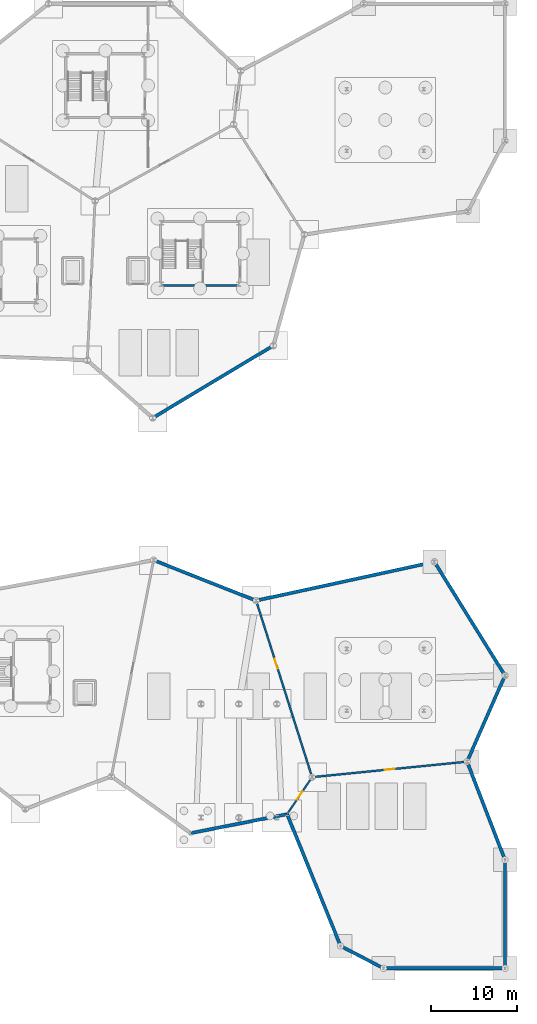
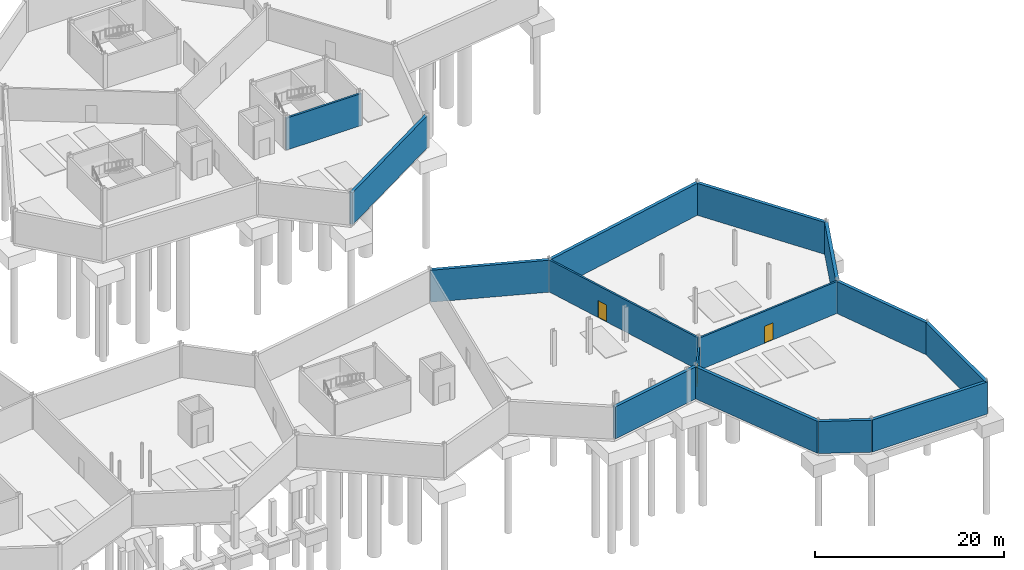
# One storey, part 31 of 37: 15 walls, 3 doors, 3 openings.
"""IFC4 building model written with IfcOpenShell, lengths in metres."""

from ifc_helpers import new_model, si_unit, direction, frame, frame_2d, origin, place, context, subcontext, project, spatial, rectangle, extrude, material, layer, layer_set, type_object, element, fill, save


model = new_model("IFC4")

# Units and contexts
model_context = context("Model", 3, precision=1e-05, world=origin(), true_north=direction((0.0, 1.0)))
body_context = subcontext(model_context, "Body", "Model", "MODEL_VIEW")
ifc_project = project(units=[si_unit("LENGTHUNIT", "METRE"), si_unit("AREAUNIT", "SQUARE_METRE"), si_unit("VOLUMEUNIT", "CUBIC_METRE"), si_unit("PLANEANGLEUNIT", "RADIAN"), si_unit("MASSUNIT", "GRAM", prefix="KILO")], contexts=[model_context])

# Site, building, storey
site_placement = place(None, origin())
site = spatial("IfcSite", under=ifc_project, at=site_placement, CompositionType="ELEMENT")
building_placement = place(site_placement, origin())
building = spatial("IfcBuilding", under=site, at=building_placement, Name="Tameran Prism Museum", CompositionType="ELEMENT")
storey_placement = place(building_placement, frame((0.0, 0.0, -4.5)))
storey = spatial("IfcBuildingStorey", under=building, at=storey_placement, Name="B1", CompositionType="ELEMENT", Elevation=-4.5)

# Walls
ifc_material_1 = material(Name="Concrete N40 (40 MPa)", Category="concrete")
ifc_layer_1 = layer(ifc_material_1, 0.3798828125)
ifc_layer_set_1 = layer_set([ifc_layer_1])
wall_type_1 = type_object("IfcWallType", Name="EW-RET-380", PredefinedType="USERDEFINED", material=ifc_layer_set_1)
wall_1_placement = place(storey_placement, frame((125.5, 63.89990234375, 0.0), z_axis=(0.0, 0.0, 1.0), x_axis=(0.857488967429, 0.51450235251, 0.0)))
element("IfcWall", 1, at=wall_1_placement, inside=storey, type_object=wall_type_1, Name="Basement Retaining Wall RW-005", ObjectType="RETAININGWALL", PredefinedType="USERDEFINED", context=body_context, shape_type="SweptSolid", body=[
    extrude(rectangle(XDim=16.32666015625, YDim=0.3798828125, at=frame_2d((8.163330078125, 0.0))), origin(), (0.0, 0.0, 1.0), 4.139892578125),
])
wall_2_placement = place(storey_placement, frame((137.452880859375, 42.718017578125, 0.0), z_axis=(0.0, 0.0, 1.0), x_axis=(-0.930078278118, 0.367361397772, 0.0)))
element("IfcWall", 2, at=wall_2_placement, inside=storey, type_object=wall_type_1, Name="Basement Retaining Wall RW-029", ObjectType="RETAININGWALL", PredefinedType="USERDEFINED", context=body_context, shape_type="SweptSolid", body=[
    extrude(rectangle(XDim=12.693359375, YDim=0.3798828125, at=frame_2d((6.3466796875, 0.0))), origin(), (0.0, 0.0, 1.0), 4.139892578125),
])
wall_3_placement = place(storey_placement, frame((129.89990234375, 15.699951171875, 0.0), z_axis=(0.0, 0.0, 1.0), x_axis=(0.981256438232, 0.192706518904, 0.0)))
element("IfcWall", 3, at=wall_3_placement, inside=storey, type_object=wall_type_1, Name="Basement Retaining Wall RW-031", ObjectType="RETAININGWALL", PredefinedType="USERDEFINED", context=body_context, shape_type="SweptSolid", body=[
    extrude(rectangle(XDim=11.364013671875, YDim=0.3798828125, at=frame_2d((5.68212890625, 0.0))), origin(), (0.0, 0.0, 1.0), 4.139892578125),
])
wall_4_placement = place(storey_placement, frame((141.118896484375, 17.85400390625, 0.0), z_axis=(0.0, 0.0, 1.0), x_axis=(0.375555670322, -0.926799837338, 0.0)))
element("IfcWall", 4, at=wall_4_placement, inside=storey, type_object=wall_type_1, Name="Basement Retaining Wall RW-032", ObjectType="RETAININGWALL", PredefinedType="USERDEFINED", context=body_context, shape_type="SweptSolid", body=[
    extrude(rectangle(XDim=16.458740234375, YDim=0.3798828125, at=frame_2d((8.2294921875, 0.0))), origin(), (0.0, 0.0, 1.0), 4.139892578125),
])
wall_5_placement = place(storey_placement, frame((147.300048828125, 2.60009765625, 0.0), z_axis=(0.0, 0.0, 1.0), x_axis=(0.887209708306, -0.461366376634, 0.0)))
element("IfcWall", 5, at=wall_5_placement, inside=storey, type_object=wall_type_1, Name="Basement Retaining Wall RW-033", ObjectType="RETAININGWALL", PredefinedType="USERDEFINED", context=body_context, shape_type="SweptSolid", body=[
    extrude(rectangle(XDim=5.6357421875, YDim=0.3798828125, at=frame_2d((2.81787109375, 0.0))), origin(), (0.0, 0.0, 1.0), 4.139892578125),
])
wall_6_placement = place(storey_placement, frame((152.300048828125, 0.0, 0.0), z_axis=(0.0, 0.0, 1.0), x_axis=(1.0, 0.0, 0.0)))
element("IfcWall", 6, at=wall_6_placement, inside=storey, type_object=wall_type_1, Name="Basement Retaining Wall RW-034", ObjectType="RETAININGWALL", PredefinedType="USERDEFINED", context=body_context, shape_type="SweptSolid", body=[
    extrude(rectangle(XDim=14.099853515625, YDim=0.3798828125, at=frame_2d((7.0498046875, 0.0))), origin(), (0.0, 0.0, 1.0), 4.139892578125),
])
wall_7_placement = place(storey_placement, frame((166.39990234375, 0.0, 0.0), z_axis=(0.0, 0.0, 1.0), x_axis=(0.0, 1.0, 0.0)))
element("IfcWall", 7, at=wall_7_placement, inside=storey, type_object=wall_type_1, Name="Basement Retaining Wall RW-035", ObjectType="RETAININGWALL", PredefinedType="USERDEFINED", context=body_context, shape_type="SweptSolid", body=[
    extrude(rectangle(XDim=12.60009765625, YDim=0.3798828125, at=frame_2d((6.300048828125, 0.0))), origin(), (0.0, 0.0, 1.0), 4.139892578125),
])
wall_8_placement = place(storey_placement, frame((166.39990234375, 12.60009765625, 0.0), z_axis=(0.0, 0.0, 1.0), x_axis=(-0.360079882768, 0.932921474737, 0.0)))
element("IfcWall", 8, at=wall_8_placement, inside=storey, type_object=wall_type_1, Name="Basement Retaining Wall RW-036", ObjectType="RETAININGWALL", PredefinedType="USERDEFINED", context=body_context, shape_type="SweptSolid", body=[
    extrude(rectangle(XDim=12.1689453125, YDim=0.3798828125, at=frame_2d((6.08447265625, 0.0))), origin(), (0.0, 0.0, 1.0), 4.139892578125),
])
wall_9_placement = place(storey_placement, frame((162.02001953125, 24.0458984375, 0.0), z_axis=(0.0, 0.0, 1.0), x_axis=(0.402744632899, 0.915312384201, 0.0)))
element("IfcWall", 9, at=wall_9_placement, inside=storey, type_object=wall_type_1, Name="Basement Retaining Wall RW-062", ObjectType="RETAININGWALL", PredefinedType="USERDEFINED", context=body_context, shape_type="SweptSolid", body=[
    extrude(rectangle(XDim=10.875, YDim=0.3798828125, at=frame_2d((5.4375, 0.0))), origin(), (0.0, 0.0, 1.0), 4.139892578125),
])
wall_10_placement = place(storey_placement, frame((166.39990234375, 34.0, 0.0), z_axis=(0.0, 0.0, 1.0), x_axis=(-0.527682342596, 0.849441784534, 0.0)))
element("IfcWall", 10, at=wall_10_placement, inside=storey, type_object=wall_type_1, Name="Basement Retaining Wall RW-063", ObjectType="RETAININGWALL", PredefinedType="USERDEFINED", context=body_context, shape_type="SweptSolid", body=[
    extrude(rectangle(XDim=15.53955078125, YDim=0.3798828125, at=frame_2d((7.769775390625, 0.0))), origin(), (0.0, 0.0, 1.0), 4.139892578125),
])
wall_11_placement = place(storey_placement, frame((158.199951171875, 47.199951171875, 0.0), z_axis=(0.0, 0.0, 1.0), x_axis=(-0.977179387491, -0.212415735439, 0.0)))
element("IfcWall", 11, at=wall_11_placement, inside=storey, type_object=wall_type_1, Name="Basement Retaining Wall RW-064", ObjectType="RETAININGWALL", PredefinedType="USERDEFINED", context=body_context, shape_type="SweptSolid", body=[
    extrude(rectangle(XDim=21.133056640625, YDim=0.3798828125, at=frame_2d((10.56640625, 0.0))), origin(), (0.0, 0.0, 1.0), 4.139892578125),
])

# Wall, opening, door
ifc_material_2 = material(Name="Concrete N32 (32 MPa)", Category="concrete")
ifc_layer_2 = layer(ifc_material_2, 0.205078125)
ifc_layer_set_2 = layer_set([ifc_layer_2])
wall_type_2 = type_object("IfcWallType", Name="IW-CMP-205", PredefinedType="SOLIDWALL", material=ifc_layer_set_2)
wall_12_placement = place(storey_placement, frame((141.10009765625, 17.89990234375, 0.0), z_axis=(0.0, 0.0, 1.0), x_axis=(0.559124361662, 0.829083800467, 0.0)))
wall_12 = element("IfcWall", 12, at=wall_12_placement, inside=storey, type_object=wall_type_2, Name="Compartment Wall IW-0013", PredefinedType="SOLIDWALL", context=body_context, shape_type="SweptSolid", body=[
    extrude(rectangle(XDim=5.1865234375, YDim=0.205078125, at=frame_2d((2.59326171875, 0.0))), origin(), (0.0, 0.0, 1.0), 3.02001953125),
])
opening_1_placement = place(wall_12_placement, frame((2.01806640625, 0.0, 0.0)))
opening_1 = element("IfcOpeningElement", 13, at=opening_1_placement, cuts=wall_12, Name="Opening ID-0013", PredefinedType="OPENING", context=body_context, shape_type="SweptSolid", body=[
    extrude(rectangle(XDim=1.14990234375, YDim=2.199951171875, at=frame_2d((0.574951171875, 1.10009765625))), frame((0.0, 0.112548828125, 0.0), z_axis=(0.0, -1.0, 0.0), x_axis=(1.0, 0.0, 0.0)), (0.0, 0.0, 1.0), 0.22509765625),
])
ifc_material_3 = material(Name="Fire-Rated Steel Door Leaf and Frame", Category="steel")
door_type_1 = type_object("IfcDoorType", Name="DR-FD-120B", OperationType="NOTDEFINED", PredefinedType="DOOR", material=ifc_material_3)
door_1_placement = place(opening_1_placement, origin())
door_1 = element("IfcDoor", 14, at=door_1_placement, inside=storey, type_object=door_type_1, Name="Compartment Door ID-0013", OperationType="SINGLE_SWING_RIGHT", OverallHeight=2.199951171875, OverallWidth=1.14990234375, PredefinedType="DOOR", context=body_context, shape_type="SweptSolid", body=[
    extrude(rectangle(XDim=1.14990234375, YDim=2.199951171875, at=frame_2d((0.574951171875, 1.10009765625))), frame((0.0, 0.02490234375, 0.0), z_axis=(0.0, -1.0, 0.0), x_axis=(1.0, 0.0, 0.0)), (0.0, 0.0, 1.0), 0.050048828125),
])
fill(opening_1, door_1)

ifc_material_4 = material(Name="Concrete N40 (40 MPa)", Category="concrete")
ifc_layer_3 = layer(ifc_material_4, 0.22509765625)
ifc_layer_set_3 = layer_set([ifc_layer_3])
wall_type_3 = type_object("IfcWallType", Name="IW-CMP-225", PredefinedType="SOLIDWALL", material=ifc_layer_set_3)
wall_13_placement = place(storey_placement, frame((144.0, 22.199951171875, 0.0), z_axis=(0.0, 0.0, 1.0), x_axis=(-0.302243860734, 0.953230637699, 0.0)))
wall_13 = element("IfcWall", 15, at=wall_13_placement, inside=storey, type_object=wall_type_3, Name="Compartment Wall IW-0014", PredefinedType="SOLIDWALL", context=body_context, shape_type="SweptSolid", body=[
    extrude(rectangle(XDim=21.505859375, YDim=0.22509765625, at=frame_2d((10.7529296875, 0.0))), origin(), (0.0, 0.0, 1.0), 4.139892578125),
])
opening_2_placement = place(wall_13_placement, frame((13.198974609375, 0.0, 0.0)))
opening_2 = element("IfcOpeningElement", 16, at=opening_2_placement, cuts=wall_13, Name="Opening ID-0014", PredefinedType="OPENING", context=body_context, shape_type="SweptSolid", body=[
    extrude(rectangle(XDim=1.199951171875, YDim=2.199951171875, at=frame_2d((0.60009765625, 1.10009765625))), frame((0.0, 0.12255859375, 0.0), z_axis=(0.0, -1.0, 0.0), x_axis=(1.0, 0.0, 0.0)), (0.0, 0.0, 1.0), 0.2451171875),
])
ifc_material_5 = material(Name="Fire-Rated Steel Door Leaf and Frame", Category="steel")
door_type_2 = type_object("IfcDoorType", Name="DR-FD-120A", OperationType="NOTDEFINED", PredefinedType="DOOR", material=ifc_material_5)
door_2_placement = place(opening_2_placement, origin())
door_2 = element("IfcDoor", 17, at=door_2_placement, inside=storey, type_object=door_type_2, Name="Compartment Door ID-0014", OperationType="SINGLE_SWING_LEFT", OverallHeight=2.199951171875, OverallWidth=1.199951171875, PredefinedType="DOOR", context=body_context, shape_type="SweptSolid", body=[
    extrude(rectangle(XDim=1.199951171875, YDim=2.199951171875, at=frame_2d((0.60009765625, 1.10009765625))), frame((0.0, 0.02490234375, 0.0), z_axis=(0.0, -1.0, 0.0), x_axis=(1.0, 0.0, 0.0)), (0.0, 0.0, 1.0), 0.050048828125),
])
fill(opening_2, door_2)

wall_14_placement = place(storey_placement, frame((162.0, 24.0, 0.0), z_axis=(0.0, 0.0, 1.0), x_axis=(-0.995036922958, -0.099506391506, 0.0)))
wall_14 = element("IfcWall", 18, at=wall_14_placement, inside=storey, type_object=wall_type_3, Name="Compartment Wall IW-0015", PredefinedType="SOLIDWALL", context=body_context, shape_type="SweptSolid", body=[
    extrude(rectangle(XDim=18.08984375, YDim=0.22509765625, at=frame_2d((9.044921875, 0.0))), origin(), (0.0, 0.0, 1.0), 4.139892578125),
])
opening_3_placement = place(wall_14_placement, frame((8.469970703125, 0.0, 0.0)))
opening_3 = element("IfcOpeningElement", 19, at=opening_3_placement, cuts=wall_14, Name="Opening ID-0015", PredefinedType="OPENING", context=body_context, shape_type="SweptSolid", body=[
    extrude(rectangle(XDim=1.14990234375, YDim=2.199951171875, at=frame_2d((0.574951171875, 1.10009765625))), frame((0.0, 0.12255859375, 0.0), z_axis=(0.0, -1.0, 0.0), x_axis=(1.0, 0.0, 0.0)), (0.0, 0.0, 1.0), 0.2451171875),
])
door_3_placement = place(opening_3_placement, origin())
door_3 = element("IfcDoor", 20, at=door_3_placement, inside=storey, type_object=door_type_1, Name="Compartment Door ID-0015", OperationType="SINGLE_SWING_RIGHT", OverallHeight=2.199951171875, OverallWidth=1.14990234375, PredefinedType="DOOR", context=body_context, shape_type="SweptSolid", body=[
    extrude(rectangle(XDim=1.14990234375, YDim=2.199951171875, at=frame_2d((0.574951171875, 1.10009765625))), frame((0.0, 0.02490234375, 0.0), z_axis=(0.0, -1.0, 0.0), x_axis=(1.0, 0.0, 0.0)), (0.0, 0.0, 1.0), 0.050048828125),
])
fill(opening_3, door_3)

# Wall
ifc_material_6 = material(Name="Concrete N40 (40 MPa)", Category="concrete")
ifc_layer_4 = layer(ifc_material_6, 0.25)
ifc_layer_set_4 = layer_set([ifc_layer_4])
wall_type_4 = type_object("IfcWallType", Name="IW-COR-250", PredefinedType="SHEAR", material=ifc_layer_set_4)
wall_15_placement = place(storey_placement, frame((135.60009765625, 79.300048828125, 0.0), z_axis=(0.0, 0.0, 1.0), x_axis=(-1.0, 0.0, 0.0)))
element("IfcWall", 21, at=wall_15_placement, inside=storey, type_object=wall_type_4, Name="Core Shear Wall CW-2-B1-S", PredefinedType="SHEAR", context=body_context, shape_type="SweptSolid", body=[
    extrude(rectangle(XDim=9.2001953125, YDim=0.25, at=frame_2d((4.60009765625, 0.0))), origin(), (0.0, 0.0, 1.0), 4.139892578125),
])

save(model, "model.ifc")
